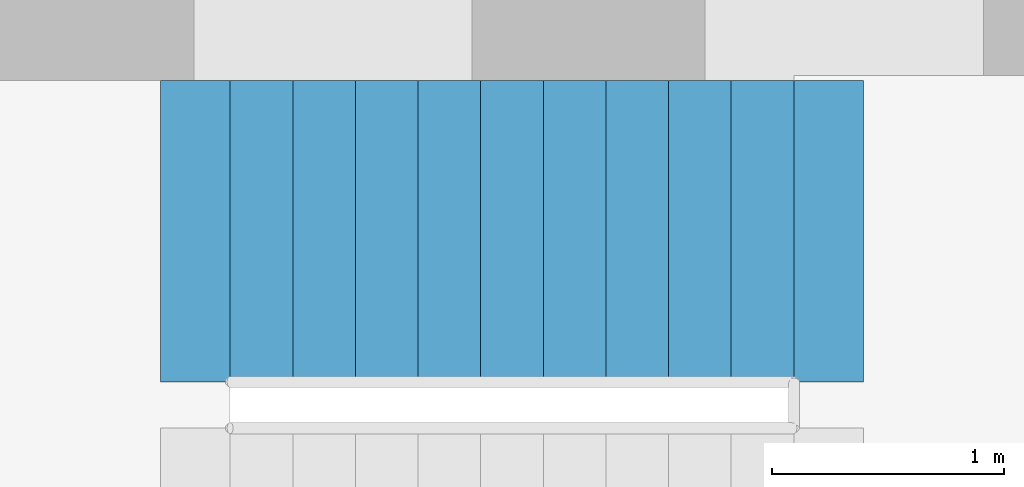
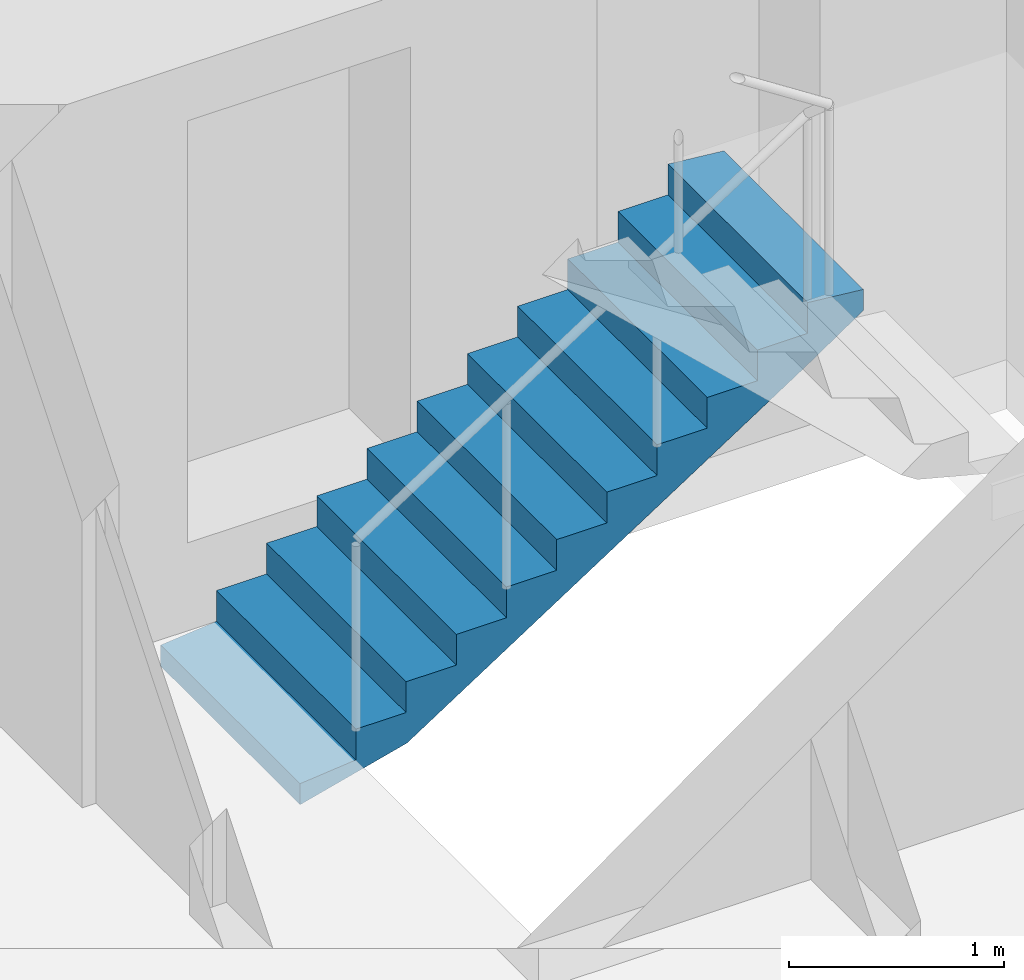
# One storey, part 11 of 19: 1 stair flight, 1 element without a shape of its own.
"""IFC4 building model written with IfcOpenShell, lengths in metres."""

import ifcopenshell
import ifcopenshell.guid

model = None  # the IFC model being written
_history = None  # IfcOwnerHistory: only IFC2X3 demands one
_inside = {}  # id of a spatial element -> (the spatial element, [elements in it])
_under = {}  # id of a project, library or spatial element -> (it, [spatial elements below it])
_declared = {}  # id of a project -> (the project, [libraries it declares])
_typed = {}  # id of a type object -> (the type object, [elements of that type])
_made_of = {}  # id of a material, layer set ... -> (it, [elements and type objects made of it])


def new_model(schema):
    """Start an empty IFC model of exactly this schema.

    Asked for "IFC4X3", IfcOpenShell would pick the latest addendum, in which some entities
    have other attributes; the version numbers below select the first issue.
    IFC2X3 requires an IfcOwnerHistory on every rooted entity: one is made here for all.
    """
    global model, _history
    if schema == "IFC4X3":
        model = ifcopenshell.file(schema_version=(4, 3, 0, 0))
    else:
        model = ifcopenshell.file(schema=schema)
    _inside.clear()
    _under.clear()
    _declared.clear()
    _typed.clear()
    _made_of.clear()
    _history = None
    if model.schema == "IFC2X3":
        org = make("IfcOrganization", Name="unknown")
        user = make(
            "IfcPersonAndOrganization",
            ThePerson=make("IfcPerson", FamilyName="unknown"),
            TheOrganization=org,
        )
        app = make(
            "IfcApplication",
            ApplicationDeveloper=org,
            Version="unknown",
            ApplicationFullName="unknown",
            ApplicationIdentifier="unknown",
        )
        _history = make(
            "IfcOwnerHistory",
            OwningUser=user,
            OwningApplication=app,
            ChangeAction="ADDED",
            CreationDate=0,
        )
    return model


def make(cls, **values):
    """One entity of the class cls with the attributes given. An attribute that is None is left unset."""
    return model.create_entity(
        cls, **{name: value for name, value in values.items() if value is not None}
    )


def rooted(cls, **values):
    """An entity with a GlobalId (a new one), such as an element, a storey or a relation."""
    return make(cls, GlobalId=ifcopenshell.guid.new(), OwnerHistory=_history, **values)


def si_unit(unit_type, name, prefix=None):
    """IfcSIUnit, for example si_unit("LENGTHUNIT", "METRE", prefix="MILLI")."""
    return make("IfcSIUnit", UnitType=unit_type, Prefix=prefix, Name=name)


def assignment(units):
    """IfcUnitAssignment: the units of a project."""
    return None if units is None else make("IfcUnitAssignment", Units=units)


def point(xyz):
    """IfcCartesianPoint."""
    return None if xyz is None else make("IfcCartesianPoint", Coordinates=xyz)


def direction(xyz):
    """IfcDirection."""
    return None if xyz is None else make("IfcDirection", DirectionRatios=xyz)


def frame(location, z_axis=None, x_axis=None):
    """IfcAxis2Placement3D, a coordinate frame: its origin and axes. An axis left out is left unset."""
    return make(
        "IfcAxis2Placement3D",
        Location=point(location),
        Axis=direction(z_axis),
        RefDirection=direction(x_axis),
    )


def origin():
    """The frame at (0, 0, 0) with its axes left unset."""
    return frame((0.0, 0.0, 0.0))


def place(relative_to, where):
    """IfcLocalPlacement: puts the frame where relative to a parent placement (None: the world)."""
    return make(
        "IfcLocalPlacement", PlacementRelTo=relative_to, RelativePlacement=where
    )


def context(
    kind, dimensions, precision=None, world=None, true_north=None, identifier=None
):
    """IfcGeometricRepresentationContext, for example the 3D "Model" context."""
    return make(
        "IfcGeometricRepresentationContext",
        ContextIdentifier=identifier,
        ContextType=kind,
        CoordinateSpaceDimension=dimensions,
        Precision=precision,
        WorldCoordinateSystem=world,
        TrueNorth=true_north,
    )


def subcontext(parent, identifier, kind, view, scale=None):
    """IfcGeometricRepresentationSubContext, for example "Body" below "Model"."""
    return make(
        "IfcGeometricRepresentationSubContext",
        ContextIdentifier=identifier,
        ContextType=kind,
        ParentContext=parent,
        TargetScale=scale,
        TargetView=view,
    )


def project(units=None, contexts=None):
    """IfcProject with its units and contexts."""
    return rooted(
        "IfcProject",
        Name="project",
        RepresentationContexts=contexts,
        UnitsInContext=assignment(units),
    )


def spatial(cls, under=None, at=None, **own):
    """A site, building, storey or space (cls), placed at a placement, below another one or the project."""
    s = rooted(cls, ObjectPlacement=at, **own)
    if under is not None:
        _under.setdefault(under.id(), (under, []))[1].append(s)
    return s


def polyline(points):
    """IfcPolyline through the points."""
    return make("IfcPolyline", Points=[point(p) for p in points])


def outline(outer, holes=None, kind="AREA"):
    """IfcArbitraryClosedProfileDef: a profile drawn as a closed curve; with holes, ...WithVoids."""
    if holes is None:
        return make("IfcArbitraryClosedProfileDef", ProfileType=kind, OuterCurve=outer)
    return make(
        "IfcArbitraryProfileDefWithVoids",
        ProfileType=kind,
        OuterCurve=outer,
        InnerCurves=holes,
    )


def extrude(swept, where, along, depth):
    """IfcExtrudedAreaSolid: the profile swept, set in the frame where, extruded along a direction by depth."""
    return make(
        "IfcExtrudedAreaSolid",
        SweptArea=swept,
        Position=where,
        ExtrudedDirection=direction(along),
        Depth=depth,
    )


def shape(context_of_items, identifier, shape_type, items):
    """IfcShapeRepresentation: the items that make up one representation, for example the "Body"."""
    return make(
        "IfcShapeRepresentation",
        ContextOfItems=context_of_items,
        RepresentationIdentifier=identifier,
        RepresentationType=shape_type,
        Items=items,
    )


def material(Name=None, Category=None):
    """IfcMaterial."""
    return make("IfcMaterial", Name=Name, Category=Category)


def made_of(thing, what):
    """Note that an element or type object is made of a material, layer set ...; save() writes the relation."""
    if what is not None:
        _made_of.setdefault(what.id(), (what, []))[1].append(thing)
    return thing


def type_object(cls, material=None, **own):
    """A type object (cls), such as IfcWallType, which elements share."""
    return made_of(rooted(cls, **own), material)


def element(
    cls,
    number,
    at=None,
    inside=None,
    cuts=None,
    type_object=None,
    material=None,
    context=None,
    identifier="Body",
    shape_type=None,
    held_by="IfcProductDefinitionShape",
    body=None,
    shapes=None,
    **own,
):
    """One element of the class cls, such as IfcWall. Its Tag is "e" and its number.

    at: its placement. inside: the storey or other place that contains it. cuts: it is an
    opening in that element (IfcRelVoidsElement). A single representation is given by context,
    identifier, shape_type and body (its items); several are given by shapes. held_by: the class
    of the entity that holds the representations. save() writes the other relations.
    """
    e = rooted(cls, Tag="e%d" % number, ObjectPlacement=at, **own)
    if body is not None:
        shapes = [shape(context, identifier, shape_type, body)]
    if shapes is not None:
        e.Representation = make(held_by, Representations=shapes)
    if inside is not None:
        _inside.setdefault(inside.id(), (inside, []))[1].append(e)
    if cuts is not None:
        rooted(
            "IfcRelVoidsElement", RelatingBuildingElement=cuts, RelatedOpeningElement=e
        )
    if type_object is not None:
        _typed.setdefault(type_object.id(), (type_object, []))[1].append(e)
    return made_of(e, material)


def aggregate(whole, parts):
    """IfcRelAggregates: a whole, such as a stair, and the parts it consists of."""
    return rooted("IfcRelAggregates", RelatingObject=whole, RelatedObjects=parts)


def save(model, path):
    """Write the relations noted so far, then the file.

    IfcRelAggregates (storeys below a building ...), IfcRelContainedInSpatialStructure (elements
    in a storey), IfcRelDefinesByType, IfcRelAssociatesMaterial and IfcRelDeclares: one each for
    every whole, place, type object, material and project.
    """
    for whole, parts in _under.values():
        aggregate(whole, parts)
    for where, things in _inside.values():
        rooted(
            "IfcRelContainedInSpatialStructure",
            RelatedElements=things,
            RelatingStructure=where,
        )
    for kind, things in _typed.values():
        rooted("IfcRelDefinesByType", RelatedObjects=things, RelatingType=kind)
    for what, things in _made_of.values():
        rooted("IfcRelAssociatesMaterial", RelatedObjects=things, RelatingMaterial=what)
    for by, libraries in _declared.values():
        rooted("IfcRelDeclares", RelatingContext=by, RelatedDefinitions=libraries)
    model.write(path)


model = new_model("IFC4")

# Units and contexts
model_context = context("Model", 3, precision=1e-05, world=origin(), true_north=direction((0.0, 1.0)))
body_context = subcontext(model_context, "Body", "Model", "MODEL_VIEW")
ifc_project = project(units=[si_unit("LENGTHUNIT", "METRE"), si_unit("AREAUNIT", "SQUARE_METRE"), si_unit("VOLUMEUNIT", "CUBIC_METRE"), si_unit("PLANEANGLEUNIT", "RADIAN"), si_unit("MASSUNIT", "GRAM", prefix="KILO")], contexts=[model_context])

# Site, building, storey
site_placement = place(None, origin())
site = spatial("IfcSite", under=ifc_project, at=site_placement, CompositionType="ELEMENT")
building_placement = place(site_placement, origin())
building = spatial("IfcBuilding", under=site, at=building_placement, Name="Vermilion Gate Residences", CompositionType="ELEMENT")
storey_placement = place(building_placement, frame((0.0, 0.0, 46.199951171875)))
storey = spatial("IfcBuildingStorey", under=building, at=storey_placement, Name="L10", CompositionType="ELEMENT", Elevation=46.199951171875)

# Stair, stair flight
ifc_material_1 = material(Name="Concrete C50", Category="concrete")
stair_type = type_object("IfcStairType", Name="SPECIAL ESCAPE STAIR 1300", PredefinedType="HALF_TURN_STAIR", material=ifc_material_1)
stair_placement = place(storey_placement, origin())
stair = element("IfcStair", 1, at=stair_placement, inside=storey, type_object=stair_type, Name="Special escape stair STB1-10", PredefinedType="HALF_TURN_STAIR")
ifc_material_2 = material(Name="Concrete C50", Category="concrete")
stair_flight_type = type_object("IfcStairFlightType", Name="STAIR FLIGHT 1300 RC C50", PredefinedType="STRAIGHT", material=ifc_material_2)
stair_flight_placement = place(storey_placement, frame((19.75, 56.949951171875, 0.0), z_axis=(0.0, 0.0, 1.0), x_axis=(1.0, 0.0, 0.0)))
stair_flight = element("IfcStairFlight", 2, at=stair_flight_placement, type_object=stair_flight_type, Name="STB1-10 flight 1", NumberOfRisers=10, NumberOfTreads=9, PredefinedType="STRAIGHT", RiserHeight=0.175, TreadLength=0.27, context=body_context, shape_type="SweptSolid", body=[
    extrude(outline(polyline([(-0.300048828125, -0.14990234375), (-0.300048828125, -0.030029296875), (0.0, 0.0), (0.0, 0.175048828125), (0.27001953125, 0.175048828125), (0.27001953125, 0.35009765625), (0.5400390625, 0.35009765625), (0.5400390625, 0.52490234375), (0.81005859375, 0.52490234375), (0.81005859375, 0.699951171875), (1.080078125, 0.699951171875), (1.080078125, 0.875), (1.35009765625, 0.875), (1.35009765625, 1.050048828125), (1.6201171875, 1.050048828125), (1.6201171875, 1.22509765625), (1.889892578125, 1.22509765625), (1.889892578125, 1.39990234375), (2.159912109375, 1.39990234375), (2.159912109375, 1.574951171875), (2.429931640625, 1.574951171875), (2.429931640625, 1.75), (2.72998046875, 1.719970703125), (2.72998046875, 1.60009765625), (2.429931640625, 1.396484375), (0.275634765625, 0.0), (-0.300048828125, -0.14990234375)])), frame((0.0, 0.64990234375, 0.0), z_axis=(0.0, -1.0, 0.0), x_axis=(1.0, 0.0, 0.0)), (0.0, 0.0, 1.0), 1.300048828125),
])
aggregate(stair, [stair_flight])

save(model, "model.ifc")
